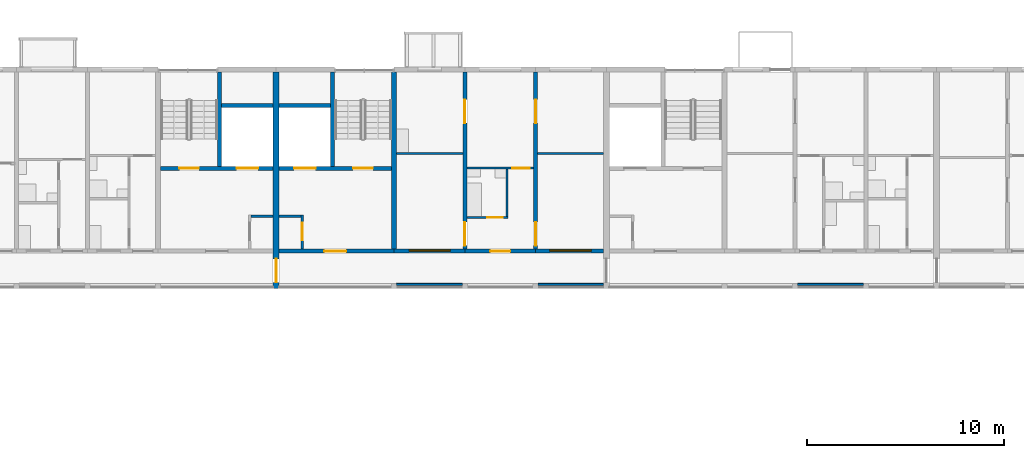
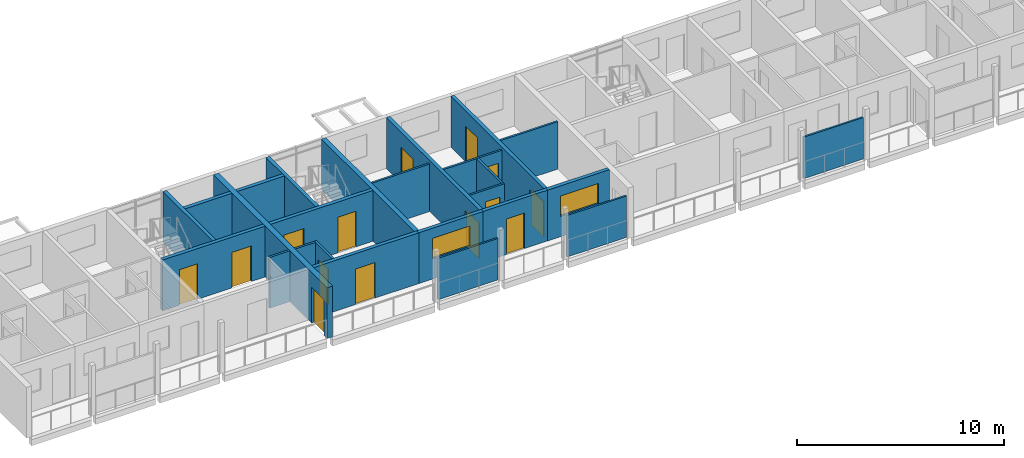
# One storey, part 34 of 99: 25 walls, 14 doors, 2 windows, 16 openings.
"""IFC4 building model written with IfcOpenShell, lengths in metres."""

from ifc_helpers import new_model, si_unit, direction, frame, frame_2d, origin, place, context, subcontext, project, spatial, rectangle, extrude, material, layer, layer_set, type_object, element, fill, save


model = new_model("IFC4")

# Units and contexts
model_context = context("Model", 3, precision=1e-05, world=origin(), true_north=direction((0.0, 1.0)))
body_context = subcontext(model_context, "Body", "Model", "MODEL_VIEW")
ifc_project = project(units=[si_unit("LENGTHUNIT", "METRE"), si_unit("AREAUNIT", "SQUARE_METRE"), si_unit("VOLUMEUNIT", "CUBIC_METRE"), si_unit("PLANEANGLEUNIT", "RADIAN"), si_unit("MASSUNIT", "GRAM", prefix="KILO")], contexts=[model_context])

# Site, building, storey
site_placement = place(None, origin())
site = spatial("IfcSite", under=ifc_project, at=site_placement, CompositionType="ELEMENT")
building_placement = place(site_placement, origin())
building = spatial("IfcBuilding", under=site, at=building_placement, Name="Ridgestep Commons", CompositionType="ELEMENT")
storey_placement = place(building_placement, frame((0.0, 0.0, 15.0)))
storey = spatial("IfcBuildingStorey", under=building, at=storey_placement, Name="L05", CompositionType="ELEMENT", Elevation=15.0)

# Wall
ifc_material_1 = material(Name="Concrete C30/37", Category="concrete")
ifc_layer_1 = layer(ifc_material_1, 0.25)
ifc_layer_set_1 = layer_set([ifc_layer_1], Name="Core cross wall 250")
wall_type_1 = type_object("IfcWallType", Name="Core cross wall 250", PredefinedType="SHEAR", material=ifc_layer_set_1)
wall_1_placement = place(storey_placement, frame((34.800048828125, 68.0, 0.0), z_axis=(0.0, 0.0, 1.0), x_axis=(0.0, 1.0, 0.0)))
element("IfcWall", 1, at=wall_1_placement, inside=storey, type_object=wall_type_1, Name="Cross wall B-05-0348", PredefinedType="SHEAR", context=body_context, shape_type="SweptSolid", body=[
    extrude(rectangle(XDim=9.0, YDim=0.25, at=frame_2d((4.5, 0.0))), origin(), (0.0, 0.0, 1.0), 3.0),
])

# Wall, opening, door
ifc_material_2 = material(Name="Concrete C30/37", Category="concrete")
ifc_layer_2 = layer(ifc_material_2, 0.199951171875)
ifc_layer_set_2 = layer_set([ifc_layer_2], Name="Core south wall 200")
wall_type_2 = type_object("IfcWallType", Name="Core south wall 200", PredefinedType="SHEAR", material=ifc_layer_set_2)
wall_2_placement = place(storey_placement, frame((28.949951171875, 67.89990234375, 0.0), z_axis=(0.0, 0.0, 1.0), x_axis=(1.0, 0.0, 0.0)))
wall_2 = element("IfcWall", 2, at=wall_2_placement, inside=storey, type_object=wall_type_2, Name="Core south wall B2C L05", PredefinedType="SHEAR", context=body_context, shape_type="SweptSolid", body=[
    extrude(rectangle(XDim=5.85009765625, YDim=0.199951171875, at=frame_2d((2.925048828125, 0.0))), origin(), (0.0, 0.0, 1.0), 3.0),
])
opening_1_placement = place(wall_2_placement, frame((2.3125, 0.0, 0.0)))
opening_1 = element("IfcOpeningElement", 3, at=opening_1_placement, cuts=wall_2, Name="Opening B2C/05/1", PredefinedType="OPENING", context=body_context, shape_type="SweptSolid", body=[
    extrude(rectangle(XDim=1.10009765625, YDim=2.10009765625, at=frame_2d((0.550048828125, 1.050048828125))), frame((0.0, 0.10986328125, 0.0), z_axis=(0.0, -1.0, 0.0), x_axis=(1.0, 0.0, 0.0)), (0.0, 0.0, 1.0), 0.219970703125),
])
ifc_material_3 = material(Name="Steel fire door", Category="steel")
door_type_1 = type_object("IfcDoorType", Name="Lobby door 1100 x 2100 FD60", OperationType="NOTDEFINED", PredefinedType="DOOR", material=ifc_material_3)
door_1_placement = place(opening_1_placement, origin())
door_1 = element("IfcDoor", 4, at=door_1_placement, inside=storey, type_object=door_type_1, Name="Lobby door B2C/05/1", OperationType="SINGLE_SWING_LEFT", OverallHeight=2.10009765625, OverallWidth=1.10009765625, PredefinedType="DOOR", context=body_context, shape_type="SweptSolid", body=[
    extrude(rectangle(XDim=1.10009765625, YDim=2.10009765625, at=frame_2d((0.550048828125, 1.050048828125))), frame((0.0, 0.02490234375, 0.0), z_axis=(0.0, -1.0, 0.0), x_axis=(1.0, 0.0, 0.0)), (0.0, 0.0, 1.0), 0.050048828125),
])
fill(opening_1, door_1)

# Wall
ifc_material_4 = material(Name="Concrete C30/37", Category="concrete")
ifc_layer_3 = layer(ifc_material_4, 0.1201171875)
ifc_layer_set_3 = layer_set([ifc_layer_3], Name="Core wall 120")
wall_type_3 = type_object("IfcWallType", Name="Core wall 120", PredefinedType="SHEAR", material=ifc_layer_set_3)
wall_3_placement = place(storey_placement, frame((27.52001953125, 69.659912109375, 0.0), z_axis=(0.0, 0.0, 1.0), x_axis=(1.0, 0.0, 0.0)))
element("IfcWall", 5, at=wall_3_placement, inside=storey, type_object=wall_type_3, Name="Core riser n wall B1C L05", PredefinedType="SHEAR", context=body_context, shape_type="SweptSolid", body=[
    extrude(rectangle(XDim=1.1298828125, YDim=0.1201171875, at=frame_2d((0.56494140625, 0.0))), origin(), (0.0, 0.0, 1.0), 3.0),
])

# Wall, opening, door
wall_4_placement = place(storey_placement, frame((30.139892578125, 68.0, 0.0), z_axis=(0.0, 0.0, 1.0), x_axis=(0.0, 1.0, 0.0)))
wall_4 = element("IfcWall", 6, at=wall_4_placement, inside=storey, type_object=wall_type_3, Name="Core riser w wall B2C L05", PredefinedType="SHEAR", context=body_context, shape_type="SweptSolid", body=[
    extrude(rectangle(XDim=1.719970703125, YDim=0.1201171875, at=frame_2d((0.85986328125, 0.0))), origin(), (0.0, 0.0, 1.0), 3.0),
])
opening_2_placement = place(wall_4_placement, frame((0.449951171875, 0.0, 0.0)))
opening_2 = element("IfcOpeningElement", 7, at=opening_2_placement, cuts=wall_4, Name="Opening B2C/05/4", PredefinedType="OPENING", context=body_context, shape_type="SweptSolid", body=[
    extrude(rectangle(XDim=0.89990234375, YDim=2.10009765625, at=frame_2d((0.449951171875, 1.050048828125))), frame((0.0, 0.070068359375, 0.0), z_axis=(0.0, -1.0, 0.0), x_axis=(1.0, 0.0, 0.0)), (0.0, 0.0, 1.0), 0.14013671875),
])
ifc_material_5 = material(Name="Steel fire door", Category="steel")
door_type_2 = type_object("IfcDoorType", Name="Riser door 900 x 2100 FD60", OperationType="NOTDEFINED", PredefinedType="DOOR", material=ifc_material_5)
door_2_placement = place(opening_2_placement, origin())
door_2 = element("IfcDoor", 8, at=door_2_placement, inside=storey, type_object=door_type_2, Name="Riser door B2C/05/4", OperationType="SINGLE_SWING_RIGHT", OverallHeight=2.10009765625, OverallWidth=0.89990234375, PredefinedType="DOOR", context=body_context, shape_type="SweptSolid", body=[
    extrude(rectangle(XDim=0.89990234375, YDim=2.10009765625, at=frame_2d((0.449951171875, 1.050048828125))), frame((0.0, 0.02490234375, 0.0), z_axis=(0.0, -1.0, 0.0), x_axis=(1.0, 0.0, 0.0)), (0.0, 0.0, 1.0), 0.050048828125),
])
fill(opening_2, door_2)

# Wall
wall_5_placement = place(storey_placement, frame((28.949951171875, 69.659912109375, 0.0), z_axis=(0.0, 0.0, 1.0), x_axis=(1.0, 0.0, 0.0)))
element("IfcWall", 9, at=wall_5_placement, inside=storey, type_object=wall_type_3, Name="Core riser n wall B2C L05", PredefinedType="SHEAR", context=body_context, shape_type="SweptSolid", body=[
    extrude(rectangle(XDim=1.130126953125, YDim=0.1201171875, at=frame_2d((0.56494140625, 0.0))), origin(), (0.0, 0.0, 1.0), 3.0),
])

# Wall, openings, doors
ifc_material_6 = material(Name="Concrete C30/37", Category="concrete")
ifc_layer_4 = layer(ifc_material_6, 0.199951171875)
ifc_layer_set_4 = layer_set([ifc_layer_4], Name="Core wall 200")
wall_type_4 = type_object("IfcWallType", Name="Core wall 200", PredefinedType="SHEAR", material=ifc_layer_set_4)
wall_6_placement = place(storey_placement, frame((22.925048828125, 72.10009765625, 0.0), z_axis=(0.0, 0.0, 1.0), x_axis=(1.0, 0.0, 0.0)))
wall_6 = element("IfcWall", 10, at=wall_6_placement, inside=storey, type_object=wall_type_4, Name="Core lobby wall B1C L05", PredefinedType="SHEAR", context=body_context, shape_type="SweptSolid", body=[
    extrude(rectangle(XDim=5.724853515625, YDim=0.199951171875, at=frame_2d((2.8623046875, 0.0))), origin(), (0.0, 0.0, 1.0), 3.0),
])
opening_3_placement = place(wall_6_placement, frame((0.949951171875, 0.0, 0.0)))
opening_3 = element("IfcOpeningElement", 11, at=opening_3_placement, cuts=wall_6, Name="Opening B1C/05/2", PredefinedType="OPENING", context=body_context, shape_type="SweptSolid", body=[
    extrude(rectangle(XDim=1.0, YDim=2.10009765625, at=frame_2d((0.5, 1.050048828125))), frame((0.0, 0.10986328125, 0.0), z_axis=(0.0, -1.0, 0.0), x_axis=(1.0, 0.0, 0.0)), (0.0, 0.0, 1.0), 0.219970703125),
])
opening_4_placement = place(wall_6_placement, frame((3.862548828125, 0.0, 0.0)))
opening_4 = element("IfcOpeningElement", 12, at=opening_4_placement, cuts=wall_6, Name="Opening B1C/05/3", PredefinedType="OPENING", context=body_context, shape_type="SweptSolid", body=[
    extrude(rectangle(XDim=1.10009765625, YDim=2.10009765625, at=frame_2d((0.550048828125, 1.050048828125))), frame((0.0, 0.10986328125, 0.0), z_axis=(0.0, -1.0, 0.0), x_axis=(1.0, 0.0, 0.0)), (0.0, 0.0, 1.0), 0.219970703125),
])
ifc_material_7 = material(Name="Stainless steel", Category="steel")
door_type_3 = type_object("IfcDoorType", Name="Lift landing door 1100 x 2100 FD60", OperationType="DOUBLE_DOOR_SLIDING", PredefinedType="DOOR", material=ifc_material_7)
door_3_placement = place(opening_4_placement, origin())
door_3 = element("IfcDoor", 13, at=door_3_placement, inside=storey, type_object=door_type_3, Name="Landing door LD B1C L05", OperationType="DOUBLE_DOOR_SLIDING", OverallHeight=2.10009765625, OverallWidth=1.10009765625, PredefinedType="DOOR", context=body_context, shape_type="SweptSolid", body=[
    extrude(rectangle(XDim=1.10009765625, YDim=2.10009765625, at=frame_2d((0.550048828125, 1.050048828125))), frame((0.0, 0.02490234375, 0.0), z_axis=(0.0, -1.0, 0.0), x_axis=(1.0, 0.0, 0.0)), (0.0, 0.0, 1.0), 0.050048828125),
])
fill(opening_4, door_3)
ifc_material_8 = material(Name="Steel fire door", Category="steel")
door_type_4 = type_object("IfcDoorType", Name="Stair door 1000 x 2100 FD60", OperationType="NOTDEFINED", PredefinedType="DOOR", material=ifc_material_8)
door_4_placement = place(opening_3_placement, origin())
door_4 = element("IfcDoor", 14, at=door_4_placement, inside=storey, type_object=door_type_4, Name="Stair door B1C/05/2", OperationType="SINGLE_SWING_RIGHT", OverallHeight=2.10009765625, OverallWidth=1.0, PredefinedType="DOOR", context=body_context, shape_type="SweptSolid", body=[
    extrude(rectangle(XDim=1.0, YDim=2.10009765625, at=frame_2d((0.5, 1.050048828125))), frame((0.0, 0.02490234375, 0.0), z_axis=(0.0, -1.0, 0.0), x_axis=(1.0, 0.0, 0.0)), (0.0, 0.0, 1.0), 0.050048828125),
])
fill(opening_3, door_4)

# Walls
wall_7_placement = place(storey_placement, frame((25.925048828125, 72.199951171875, 0.0), z_axis=(0.0, 0.0, 1.0), x_axis=(0.0, 1.0, 0.0)))
element("IfcWall", 15, at=wall_7_placement, inside=storey, type_object=wall_type_4, Name="Core stair wall B1C L05", PredefinedType="SHEAR", context=body_context, shape_type="SweptSolid", body=[
    extrude(rectangle(XDim=4.800048828125, YDim=0.199951171875, at=frame_2d((2.39990234375, 0.0))), origin(), (0.0, 0.0, 1.0), 3.0),
])
wall_8_placement = place(storey_placement, frame((26.02490234375, 75.300048828125, 0.0), z_axis=(0.0, 0.0, 1.0), x_axis=(1.0, 0.0, 0.0)))
element("IfcWall", 16, at=wall_8_placement, inside=storey, type_object=wall_type_4, Name="Core duct wall B1C L05", PredefinedType="SHEAR", context=body_context, shape_type="SweptSolid", body=[
    extrude(rectangle(XDim=2.625, YDim=0.199951171875, at=frame_2d((1.3125, 0.0))), origin(), (0.0, 0.0, 1.0), 3.0),
])

# Wall, openings, doors
wall_9_placement = place(storey_placement, frame((28.949951171875, 72.10009765625, 0.0), z_axis=(0.0, 0.0, 1.0), x_axis=(1.0, 0.0, 0.0)))
wall_9 = element("IfcWall", 17, at=wall_9_placement, inside=storey, type_object=wall_type_4, Name="Core lobby wall B2C L05", PredefinedType="SHEAR", context=body_context, shape_type="SweptSolid", body=[
    extrude(rectangle(XDim=5.72509765625, YDim=0.199951171875, at=frame_2d((2.862548828125, 0.0))), origin(), (0.0, 0.0, 1.0), 3.0),
])
opening_5_placement = place(wall_9_placement, frame((3.77490234375, 0.0, 0.0)))
opening_5 = element("IfcOpeningElement", 18, at=opening_5_placement, cuts=wall_9, Name="Opening B2C/05/2", PredefinedType="OPENING", context=body_context, shape_type="SweptSolid", body=[
    extrude(rectangle(XDim=1.0, YDim=2.10009765625, at=frame_2d((0.5, 1.050048828125))), frame((0.0, 0.10986328125, 0.0), z_axis=(0.0, -1.0, 0.0), x_axis=(1.0, 0.0, 0.0)), (0.0, 0.0, 1.0), 0.219970703125),
])
opening_6_placement = place(wall_9_placement, frame((0.762451171875, 0.0, 0.0)))
opening_6 = element("IfcOpeningElement", 19, at=opening_6_placement, cuts=wall_9, Name="Opening B2C/05/3", PredefinedType="OPENING", context=body_context, shape_type="SweptSolid", body=[
    extrude(rectangle(XDim=1.10009765625, YDim=2.10009765625, at=frame_2d((0.550048828125, 1.050048828125))), frame((0.0, 0.10986328125, 0.0), z_axis=(0.0, -1.0, 0.0), x_axis=(1.0, 0.0, 0.0)), (0.0, 0.0, 1.0), 0.219970703125),
])
door_5_placement = place(opening_6_placement, origin())
door_5 = element("IfcDoor", 20, at=door_5_placement, inside=storey, type_object=door_type_3, Name="Landing door LD B2C L05", OperationType="DOUBLE_DOOR_SLIDING", OverallHeight=2.10009765625, OverallWidth=1.10009765625, PredefinedType="DOOR", context=body_context, shape_type="SweptSolid", body=[
    extrude(rectangle(XDim=1.10009765625, YDim=2.10009765625, at=frame_2d((0.550048828125, 1.050048828125))), frame((0.0, 0.02490234375, 0.0), z_axis=(0.0, -1.0, 0.0), x_axis=(1.0, 0.0, 0.0)), (0.0, 0.0, 1.0), 0.050048828125),
])
fill(opening_6, door_5)
door_6_placement = place(opening_5_placement, origin())
door_6 = element("IfcDoor", 21, at=door_6_placement, inside=storey, type_object=door_type_4, Name="Stair door B2C/05/2", OperationType="SINGLE_SWING_RIGHT", OverallHeight=2.10009765625, OverallWidth=1.0, PredefinedType="DOOR", context=body_context, shape_type="SweptSolid", body=[
    extrude(rectangle(XDim=1.0, YDim=2.10009765625, at=frame_2d((0.5, 1.050048828125))), frame((0.0, 0.02490234375, 0.0), z_axis=(0.0, -1.0, 0.0), x_axis=(1.0, 0.0, 0.0)), (0.0, 0.0, 1.0), 0.050048828125),
])
fill(opening_5, door_6)

# Walls
wall_10_placement = place(storey_placement, frame((31.675048828125, 72.199951171875, 0.0), z_axis=(0.0, 0.0, 1.0), x_axis=(0.0, 1.0, 0.0)))
element("IfcWall", 22, at=wall_10_placement, inside=storey, type_object=wall_type_4, Name="Core stair wall B2C L05", PredefinedType="SHEAR", context=body_context, shape_type="SweptSolid", body=[
    extrude(rectangle(XDim=4.800048828125, YDim=0.199951171875, at=frame_2d((2.39990234375, 0.0))), origin(), (0.0, 0.0, 1.0), 3.0),
])
wall_11_placement = place(storey_placement, frame((28.949951171875, 75.300048828125, 0.0), z_axis=(0.0, 0.0, 1.0), x_axis=(1.0, 0.0, 0.0)))
element("IfcWall", 23, at=wall_11_placement, inside=storey, type_object=wall_type_4, Name="Core duct wall B2C L05", PredefinedType="SHEAR", context=body_context, shape_type="SweptSolid", body=[
    extrude(rectangle(XDim=2.625, YDim=0.199951171875, at=frame_2d((1.3125, 0.0))), origin(), (0.0, 0.0, 1.0), 3.0),
])

# Wall, openings, doors
ifc_material_9 = material(Name="Precast concrete C40/50", Category="concrete")
ifc_layer_5 = layer(ifc_material_9, 0.199951171875)
ifc_layer_set_5 = layer_set([ifc_layer_5], Name="Cross wall 200")
wall_type_5 = type_object("IfcWallType", Name="Cross wall 200", PredefinedType="SHEAR", material=ifc_layer_set_5)
wall_12_placement = place(storey_placement, frame((38.39990234375, 68.0, 0.0), z_axis=(0.0, 0.0, 1.0), x_axis=(0.0, 1.0, 0.0)))
wall_12 = element("IfcWall", 24, at=wall_12_placement, inside=storey, type_object=wall_type_5, Name="Cross wall B-05-0384", PredefinedType="SHEAR", context=body_context, shape_type="SweptSolid", body=[
    extrude(rectangle(XDim=9.0, YDim=0.199951171875, at=frame_2d((4.5, 0.0))), origin(), (0.0, 0.0, 1.0), 3.0),
])
opening_7_placement = place(wall_12_placement, frame((0.175048828125, 0.0, 0.0)))
opening_7 = element("IfcOpeningElement", 25, at=opening_7_placement, cuts=wall_12, Name="Opening B2-05a/4", PredefinedType="OPENING", context=body_context, shape_type="SweptSolid", body=[
    extrude(rectangle(XDim=1.199951171875, YDim=2.10009765625, at=frame_2d((0.60009765625, 1.050048828125))), frame((0.0, 0.10986328125, 0.0), z_axis=(0.0, -1.0, 0.0), x_axis=(1.0, 0.0, 0.0)), (0.0, 0.0, 1.0), 0.219970703125),
])
opening_8_placement = place(wall_12_placement, frame((6.39990234375, 0.0, 0.0)))
opening_8 = element("IfcOpeningElement", 26, at=opening_8_placement, cuts=wall_12, Name="Opening B2-05a/5", PredefinedType="OPENING", context=body_context, shape_type="SweptSolid", body=[
    extrude(rectangle(XDim=1.199951171875, YDim=2.10009765625, at=frame_2d((0.60009765625, 1.050048828125))), frame((0.0, 0.10986328125, 0.0), z_axis=(0.0, -1.0, 0.0), x_axis=(1.0, 0.0, 0.0)), (0.0, 0.0, 1.0), 0.219970703125),
])
ifc_material_10 = material(Name="Timber door leaf", Category="wood")
door_type_5 = type_object("IfcDoorType", Name="Double door 1200 x 2100", OperationType="DOUBLE_DOOR_SINGLE_SWING", PredefinedType="DOOR", material=ifc_material_10)
door_7_placement = place(opening_7_placement, origin())
door_7 = element("IfcDoor", 27, at=door_7_placement, inside=storey, type_object=door_type_5, Name="Double door B2-05a/4", OperationType="DOUBLE_DOOR_SINGLE_SWING", OverallHeight=2.10009765625, OverallWidth=1.199951171875, PredefinedType="DOOR", context=body_context, shape_type="SweptSolid", body=[
    extrude(rectangle(XDim=1.199951171875, YDim=2.10009765625, at=frame_2d((0.60009765625, 1.050048828125))), frame((0.0, 0.02490234375, 0.0), z_axis=(0.0, -1.0, 0.0), x_axis=(1.0, 0.0, 0.0)), (0.0, 0.0, 1.0), 0.050048828125),
])
fill(opening_7, door_7)
door_8_placement = place(opening_8_placement, origin())
door_8 = element("IfcDoor", 28, at=door_8_placement, inside=storey, type_object=door_type_5, Name="Double door B2-05a/5", OperationType="DOUBLE_DOOR_SINGLE_SWING", OverallHeight=2.10009765625, OverallWidth=1.199951171875, PredefinedType="DOOR", context=body_context, shape_type="SweptSolid", body=[
    extrude(rectangle(XDim=1.199951171875, YDim=2.10009765625, at=frame_2d((0.60009765625, 1.050048828125))), frame((0.0, 0.02490234375, 0.0), z_axis=(0.0, -1.0, 0.0), x_axis=(1.0, 0.0, 0.0)), (0.0, 0.0, 1.0), 0.050048828125),
])
fill(opening_8, door_8)

wall_13_placement = place(storey_placement, frame((42.0, 68.0, 0.0), z_axis=(0.0, 0.0, 1.0), x_axis=(0.0, 1.0, 0.0)))
wall_13 = element("IfcWall", 29, at=wall_13_placement, inside=storey, type_object=wall_type_5, Name="Cross wall B-05-0420", PredefinedType="SHEAR", context=body_context, shape_type="SweptSolid", body=[
    extrude(rectangle(XDim=9.0, YDim=0.199951171875, at=frame_2d((4.5, 0.0))), origin(), (0.0, 0.0, 1.0), 3.0),
])
opening_9_placement = place(wall_13_placement, frame((0.175048828125, 0.0, 0.0)))
opening_9 = element("IfcOpeningElement", 30, at=opening_9_placement, cuts=wall_13, Name="Opening B2-05a/6", PredefinedType="OPENING", context=body_context, shape_type="SweptSolid", body=[
    extrude(rectangle(XDim=1.199951171875, YDim=2.10009765625, at=frame_2d((0.60009765625, 1.050048828125))), frame((0.0, 0.10986328125, 0.0), z_axis=(0.0, -1.0, 0.0), x_axis=(1.0, 0.0, 0.0)), (0.0, 0.0, 1.0), 0.219970703125),
])
opening_10_placement = place(wall_13_placement, frame((6.39990234375, 0.0, 0.0)))
opening_10 = element("IfcOpeningElement", 31, at=opening_10_placement, cuts=wall_13, Name="Opening B2-05a/7", PredefinedType="OPENING", context=body_context, shape_type="SweptSolid", body=[
    extrude(rectangle(XDim=1.199951171875, YDim=2.10009765625, at=frame_2d((0.60009765625, 1.050048828125))), frame((0.0, 0.10986328125, 0.0), z_axis=(0.0, -1.0, 0.0), x_axis=(1.0, 0.0, 0.0)), (0.0, 0.0, 1.0), 0.219970703125),
])
door_9_placement = place(opening_9_placement, origin())
door_9 = element("IfcDoor", 32, at=door_9_placement, inside=storey, type_object=door_type_5, Name="Double door B2-05a/6", OperationType="DOUBLE_DOOR_SINGLE_SWING", OverallHeight=2.10009765625, OverallWidth=1.199951171875, PredefinedType="DOOR", context=body_context, shape_type="SweptSolid", body=[
    extrude(rectangle(XDim=1.199951171875, YDim=2.10009765625, at=frame_2d((0.60009765625, 1.050048828125))), frame((0.0, 0.02490234375, 0.0), z_axis=(0.0, -1.0, 0.0), x_axis=(1.0, 0.0, 0.0)), (0.0, 0.0, 1.0), 0.050048828125),
])
fill(opening_9, door_9)
door_10_placement = place(opening_10_placement, origin())
door_10 = element("IfcDoor", 33, at=door_10_placement, inside=storey, type_object=door_type_5, Name="Double door B2-05a/7", OperationType="DOUBLE_DOOR_SINGLE_SWING", OverallHeight=2.10009765625, OverallWidth=1.199951171875, PredefinedType="DOOR", context=body_context, shape_type="SweptSolid", body=[
    extrude(rectangle(XDim=1.199951171875, YDim=2.10009765625, at=frame_2d((0.60009765625, 1.050048828125))), frame((0.0, 0.02490234375, 0.0), z_axis=(0.0, -1.0, 0.0), x_axis=(1.0, 0.0, 0.0)), (0.0, 0.0, 1.0), 0.050048828125),
])
fill(opening_10, door_10)

# Wall, opening, door
ifc_material_11 = material(Name="Precast concrete C40/50", Category="concrete")
ifc_layer_6 = layer(ifc_material_11, 0.300048828125)
ifc_layer_set_6 = layer_set([ifc_layer_6], Name="Division wall 300")
wall_type_6 = type_object("IfcWallType", Name="Division wall 300", PredefinedType="SHEAR", material=ifc_layer_set_6)
wall_14_placement = place(storey_placement, frame((28.800048828125, 66.0, 0.0), z_axis=(0.0, 0.0, 1.0), x_axis=(0.0, 1.0, 0.0)))
wall_14 = element("IfcWall", 34, at=wall_14_placement, inside=storey, type_object=wall_type_6, Name="Cross wall B-05-0288", PredefinedType="SHEAR", context=body_context, shape_type="SweptSolid", body=[
    extrude(rectangle(XDim=11.0, YDim=0.300048828125, at=frame_2d((5.5, 0.0))), origin(), (0.0, 0.0, 1.0), 3.0),
])
opening_11_placement = place(wall_14_placement, frame((0.300048828125, 0.0, 0.0)))
opening_11 = element("IfcOpeningElement", 35, at=opening_11_placement, cuts=wall_14, Name="Opening B/05/G0288", PredefinedType="OPENING", context=body_context, shape_type="SweptSolid", body=[
    extrude(rectangle(XDim=1.199951171875, YDim=2.10009765625, at=frame_2d((0.60009765625, 1.050048828125))), frame((0.0, 0.159912109375, 0.0), z_axis=(0.0, -1.0, 0.0), x_axis=(1.0, 0.0, 0.0)), (0.0, 0.0, 1.0), 0.320068359375),
])
ifc_material_12 = material(Name="Steel fire door", Category="steel")
door_type_6 = type_object("IfcDoorType", Name="Division fire door 1200 x 2100 EI 240", OperationType="DOUBLE_DOOR_SINGLE_SWING", PredefinedType="DOOR", material=ifc_material_12)
door_11_placement = place(opening_11_placement, origin())
door_11 = element("IfcDoor", 36, at=door_11_placement, inside=storey, type_object=door_type_6, Name="Division fire door B/05/G0288", OperationType="DOUBLE_DOOR_SINGLE_SWING", OverallHeight=2.10009765625, OverallWidth=1.199951171875, PredefinedType="DOOR", context=body_context, shape_type="SweptSolid", body=[
    extrude(rectangle(XDim=1.199951171875, YDim=2.10009765625, at=frame_2d((0.60009765625, 1.050048828125))), frame((0.0, 0.02490234375, 0.0), z_axis=(0.0, -1.0, 0.0), x_axis=(1.0, 0.0, 0.0)), (0.0, 0.0, 1.0), 0.050048828125),
])
fill(opening_11, door_11)

ifc_material_13 = material(Name="Common brick 110 mm", Category="masonry")
ifc_layer_7 = layer(ifc_material_13, 0.110107421875)
ifc_layer_set_7 = layer_set([ifc_layer_7], Name="Partition 110")
wall_type_7 = type_object("IfcWallType", Name="Partition 110", PredefinedType="PARTITIONING", material=ifc_layer_set_7)
wall_15_placement = place(storey_placement, frame((38.5, 69.60498046875, 0.0), z_axis=(0.0, 0.0, 1.0), x_axis=(1.0, 0.0, 0.0)))
wall_15 = element("IfcWall", 37, at=wall_15_placement, inside=storey, type_object=wall_type_7, Name="Partition B2-05a", PredefinedType="PARTITIONING", context=body_context, shape_type="SweptSolid", body=[
    extrude(rectangle(XDim=2.10009765625, YDim=0.110107421875, at=frame_2d((1.050048828125, 0.0))), origin(), (0.0, 0.0, 1.0), 2.800048828125),
])
opening_12_placement = place(wall_15_placement, frame((1.0400390625, 0.0, 0.0)))
opening_12 = element("IfcOpeningElement", 38, at=opening_12_placement, cuts=wall_15, Name="Opening B2-05a/2", PredefinedType="OPENING", context=body_context, shape_type="SweptSolid", body=[
    extrude(rectangle(XDim=0.800048828125, YDim=2.10009765625, at=frame_2d((0.39990234375, 1.050048828125))), frame((0.0, 0.06494140625, 0.0), z_axis=(0.0, -1.0, 0.0), x_axis=(1.0, 0.0, 0.0)), (0.0, 0.0, 1.0), 0.130126953125),
])
ifc_material_14 = material(Name="Timber door leaf", Category="wood")
door_type_7 = type_object("IfcDoorType", Name="Internal door 800 x 2100", OperationType="NOTDEFINED", PredefinedType="DOOR", material=ifc_material_14)
door_12_placement = place(opening_12_placement, origin())
door_12 = element("IfcDoor", 39, at=door_12_placement, inside=storey, type_object=door_type_7, Name="Internal door B2-05a/2", OperationType="SINGLE_SWING_RIGHT", OverallHeight=2.10009765625, OverallWidth=0.800048828125, PredefinedType="DOOR", context=body_context, shape_type="SweptSolid", body=[
    extrude(rectangle(XDim=0.800048828125, YDim=2.10009765625, at=frame_2d((0.39990234375, 1.050048828125))), frame((0.0, 0.02490234375, 0.0), z_axis=(0.0, -1.0, 0.0), x_axis=(1.0, 0.0, 0.0)), (0.0, 0.0, 1.0), 0.050048828125),
])
fill(opening_12, door_12)

# Wall
wall_16_placement = place(storey_placement, frame((40.544921875, 69.659912109375, 0.0), z_axis=(0.0, 0.0, 1.0), x_axis=(0.0, 1.0, 0.0)))
element("IfcWall", 40, at=wall_16_placement, inside=storey, type_object=wall_type_7, Name="Partition B2-05a", PredefinedType="PARTITIONING", context=body_context, shape_type="SweptSolid", body=[
    extrude(rectangle(XDim=2.400146484375, YDim=0.110107421875, at=frame_2d((1.2001953125, 0.0))), origin(), (0.0, 0.0, 1.0), 2.800048828125),
])

# Wall, opening, door
wall_17_placement = place(storey_placement, frame((38.5, 72.114990234375, 0.0), z_axis=(0.0, 0.0, 1.0), x_axis=(1.0, 0.0, 0.0)))
wall_17 = element("IfcWall", 41, at=wall_17_placement, inside=storey, type_object=wall_type_7, Name="Partition B2-05a", PredefinedType="PARTITIONING", context=body_context, shape_type="SweptSolid", body=[
    extrude(rectangle(XDim=3.39990234375, YDim=0.110107421875, at=frame_2d((1.699951171875, 0.0))), origin(), (0.0, 0.0, 1.0), 2.800048828125),
])
opening_13_placement = place(wall_17_placement, frame((2.300048828125, 0.0, 0.0)))
opening_13 = element("IfcOpeningElement", 42, at=opening_13_placement, cuts=wall_17, Name="Opening B2-05a/3", PredefinedType="OPENING", context=body_context, shape_type="SweptSolid", body=[
    extrude(rectangle(XDim=0.89990234375, YDim=2.10009765625, at=frame_2d((0.449951171875, 1.050048828125))), frame((0.0, 0.06494140625, 0.0), z_axis=(0.0, -1.0, 0.0), x_axis=(1.0, 0.0, 0.0)), (0.0, 0.0, 1.0), 0.130126953125),
])
ifc_material_15 = material(Name="Timber door leaf", Category="wood")
door_type_8 = type_object("IfcDoorType", Name="Internal door 900 x 2100", OperationType="NOTDEFINED", PredefinedType="DOOR", material=ifc_material_15)
door_13_placement = place(opening_13_placement, origin())
door_13 = element("IfcDoor", 43, at=door_13_placement, inside=storey, type_object=door_type_8, Name="Internal door B2-05a/3", OperationType="SINGLE_SWING_LEFT", OverallHeight=2.10009765625, OverallWidth=0.89990234375, PredefinedType="DOOR", context=body_context, shape_type="SweptSolid", body=[
    extrude(rectangle(XDim=0.89990234375, YDim=2.10009765625, at=frame_2d((0.449951171875, 1.050048828125))), frame((0.0, 0.02490234375, 0.0), z_axis=(0.0, -1.0, 0.0), x_axis=(1.0, 0.0, 0.0)), (0.0, 0.0, 1.0), 0.050048828125),
])
fill(opening_13, door_13)

# Walls
wall_18_placement = place(storey_placement, frame((34.925048828125, 72.85498046875, 0.0), z_axis=(0.0, 0.0, 1.0), x_axis=(1.0, 0.0, 0.0)))
element("IfcWall", 44, at=wall_18_placement, inside=storey, type_object=wall_type_7, Name="Partition B2-05a", PredefinedType="PARTITIONING", context=body_context, shape_type="SweptSolid", body=[
    extrude(rectangle(XDim=3.375, YDim=0.110107421875, at=frame_2d((1.6875, 0.0))), origin(), (0.0, 0.0, 1.0), 2.800048828125),
])
wall_19_placement = place(storey_placement, frame((42.10009765625, 72.85498046875, 0.0), z_axis=(0.0, 0.0, 1.0), x_axis=(1.0, 0.0, 0.0)))
element("IfcWall", 45, at=wall_19_placement, inside=storey, type_object=wall_type_7, Name="Partition B2-05a", PredefinedType="PARTITIONING", context=body_context, shape_type="SweptSolid", body=[
    extrude(rectangle(XDim=3.349853515625, YDim=0.110107421875, at=frame_2d((1.6748046875, 0.0))), origin(), (0.0, 0.0, 1.0), 2.800048828125),
])
ifc_material_16 = material(Name="Precast concrete C30/37", Category="concrete")
ifc_layer_8 = layer(ifc_material_16, 0.10009765625)
ifc_layer_set_8 = layer_set([ifc_layer_8], Name="Perforated gallery screen 3325 x 2450 x 100")
wall_type_8 = type_object("IfcWallType", Name="Perforated gallery screen 3325 x 2450 x 100", PredefinedType="SOLIDWALL", material=ifc_layer_set_8)
wall_20_placement = place(storey_placement, frame((42.125, 66.199951171875, 0.0), z_axis=(0.0, 0.0, 1.0), x_axis=(1.0, 0.0, 0.0)))
element("IfcWall", 46, at=wall_20_placement, inside=storey, type_object=wall_type_8, Name="Gallery screen B2T1 05", PredefinedType="SOLIDWALL", context=body_context, shape_type="SweptSolid", body=[
    extrude(rectangle(XDim=3.324951171875, YDim=0.10009765625, at=frame_2d((1.66259765625, 0.0))), origin(), (0.0, 0.0, 1.0), 2.449951171875),
])
ifc_material_17 = material(Name="Precast concrete C30/37", Category="concrete")
ifc_layer_9 = layer(ifc_material_17, 0.10009765625)
ifc_layer_set_9 = layer_set([ifc_layer_9], Name="Perforated gallery screen 3350 x 2450 x 100")
wall_type_9 = type_object("IfcWallType", Name="Perforated gallery screen 3350 x 2450 x 100", PredefinedType="SOLIDWALL", material=ifc_layer_set_9)
wall_21_placement = place(storey_placement, frame((34.925048828125, 66.199951171875, 0.0), z_axis=(0.0, 0.0, 1.0), x_axis=(1.0, 0.0, 0.0)))
element("IfcWall", 47, at=wall_21_placement, inside=storey, type_object=wall_type_9, Name="Gallery screen B2T3 05", PredefinedType="SOLIDWALL", context=body_context, shape_type="SweptSolid", body=[
    extrude(rectangle(XDim=3.349853515625, YDim=0.10009765625, at=frame_2d((1.6748046875, 0.0))), origin(), (0.0, 0.0, 1.0), 2.449951171875),
])
wall_22_placement = place(storey_placement, frame((55.324951171875, 66.199951171875, 0.0), z_axis=(0.0, 0.0, 1.0), x_axis=(1.0, 0.0, 0.0)))
element("IfcWall", 48, at=wall_22_placement, inside=storey, type_object=wall_type_9, Name="Gallery screen B3T2 05", PredefinedType="SOLIDWALL", context=body_context, shape_type="SweptSolid", body=[
    extrude(rectangle(XDim=3.35009765625, YDim=0.10009765625, at=frame_2d((1.675048828125, 0.0))), origin(), (0.0, 0.0, 1.0), 2.449951171875),
])

# Wall, opening, window
ifc_material_18 = material(Name="Precast concrete C40/50", Category="concrete")
ifc_layer_10 = layer(ifc_material_18, 0.199951171875)
ifc_layer_set_10 = layer_set([ifc_layer_10], Name="South facade panel 200")
wall_type_10 = type_object("IfcWallType", Name="South facade panel 200", PredefinedType="SOLIDWALL", material=ifc_layer_set_10)
wall_23_placement = place(storey_placement, frame((34.800048828125, 67.89990234375, 0.0), z_axis=(0.0, 0.0, 1.0), x_axis=(1.0, 0.0, 0.0)))
wall_23 = element("IfcWall", 49, at=wall_23_placement, inside=storey, type_object=wall_type_10, Name="South panel B2T3 L05", PredefinedType="SOLIDWALL", context=body_context, shape_type="SweptSolid", body=[
    extrude(rectangle(XDim=3.599853515625, YDim=0.199951171875, at=frame_2d((1.7998046875, 0.0))), origin(), (0.0, 0.0, 1.0), 3.0),
])
opening_14_placement = place(wall_23_placement, frame((0.762451171875, 0.0, 1.199951171875)))
opening_14 = element("IfcOpeningElement", 50, at=opening_14_placement, cuts=wall_23, Name="Opening W22", PredefinedType="OPENING", context=body_context, shape_type="SweptSolid", body=[
    extrude(rectangle(XDim=2.10009765625, YDim=1.199951171875, at=frame_2d((1.050048828125, 0.60009765625))), frame((0.0, 0.10986328125, 0.0), z_axis=(0.0, -1.0, 0.0), x_axis=(1.0, 0.0, 0.0)), (0.0, 0.0, 1.0), 0.219970703125),
])
ifc_material_19 = material(Name="Aluminium 6063-T6 and glass", Category="aluminium")
window_type = type_object("IfcWindowType", Name="Flat window 2100 x 1200", PartitioningType="DOUBLE_PANEL_VERTICAL", PredefinedType="WINDOW", material=ifc_material_19)
window_1_placement = place(opening_14_placement, origin())
window_1 = element("IfcWindow", 51, at=window_1_placement, inside=storey, type_object=window_type, Name="Window B2-05a 1", OverallHeight=1.199951171875, OverallWidth=2.10009765625, PartitioningType="SINGLE_PANEL", PredefinedType="WINDOW", context=body_context, shape_type="SweptSolid", body=[
    extrude(rectangle(XDim=2.10009765625, YDim=1.199951171875, at=frame_2d((1.050048828125, 0.60009765625))), frame((0.0, 0.06005859375, 0.0), z_axis=(0.0, -1.0, 0.0), x_axis=(1.0, 0.0, 0.0)), (0.0, 0.0, 1.0), 0.06005859375),
])
fill(opening_14, window_1)

# Wall, opening, door
wall_24_placement = place(storey_placement, frame((38.39990234375, 67.89990234375, 0.0), z_axis=(0.0, 0.0, 1.0), x_axis=(1.0, 0.0, 0.0)))
wall_24 = element("IfcWall", 52, at=wall_24_placement, inside=storey, type_object=wall_type_10, Name="South panel B2T2 L05", PredefinedType="SOLIDWALL", context=body_context, shape_type="SweptSolid", body=[
    extrude(rectangle(XDim=3.60009765625, YDim=0.199951171875, at=frame_2d((1.800048828125, 0.0))), origin(), (0.0, 0.0, 1.0), 3.0),
])
opening_15_placement = place(wall_24_placement, frame((1.300048828125, 0.0, 0.0)))
opening_15 = element("IfcOpeningElement", 53, at=opening_15_placement, cuts=wall_24, Name="Opening B2-05a/1", PredefinedType="OPENING", context=body_context, shape_type="SweptSolid", body=[
    extrude(rectangle(XDim=1.0, YDim=2.10009765625, at=frame_2d((0.5, 1.050048828125))), frame((0.0, 0.10986328125, 0.0), z_axis=(0.0, -1.0, 0.0), x_axis=(1.0, 0.0, 0.0)), (0.0, 0.0, 1.0), 0.219970703125),
])
ifc_material_20 = material(Name="Timber door leaf", Category="wood")
door_type_9 = type_object("IfcDoorType", Name="Flat entrance door 1000 x 2100 FD30S", OperationType="NOTDEFINED", PredefinedType="DOOR", material=ifc_material_20)
door_14_placement = place(opening_15_placement, origin())
door_14 = element("IfcDoor", 54, at=door_14_placement, inside=storey, type_object=door_type_9, Name="Flat entrance door B2-05a/1", OperationType="SINGLE_SWING_RIGHT", OverallHeight=2.10009765625, OverallWidth=1.0, PredefinedType="DOOR", context=body_context, shape_type="SweptSolid", body=[
    extrude(rectangle(XDim=1.0, YDim=2.10009765625, at=frame_2d((0.5, 1.050048828125))), frame((0.0, 0.02490234375, 0.0), z_axis=(0.0, -1.0, 0.0), x_axis=(1.0, 0.0, 0.0)), (0.0, 0.0, 1.0), 0.050048828125),
])
fill(opening_15, door_14)

# Wall, opening, window
wall_25_placement = place(storey_placement, frame((42.0, 67.89990234375, 0.0), z_axis=(0.0, 0.0, 1.0), x_axis=(1.0, 0.0, 0.0)))
wall_25 = element("IfcWall", 55, at=wall_25_placement, inside=storey, type_object=wall_type_10, Name="South panel B2T1 L05", PredefinedType="SOLIDWALL", context=body_context, shape_type="SweptSolid", body=[
    extrude(rectangle(XDim=3.449951171875, YDim=0.199951171875, at=frame_2d((1.72509765625, 0.0))), origin(), (0.0, 0.0, 1.0), 3.0),
])
opening_16_placement = place(wall_25_placement, frame((0.72509765625, 0.0, 1.199951171875)))
opening_16 = element("IfcOpeningElement", 56, at=opening_16_placement, cuts=wall_25, Name="Opening W22", PredefinedType="OPENING", context=body_context, shape_type="SweptSolid", body=[
    extrude(rectangle(XDim=2.10009765625, YDim=1.199951171875, at=frame_2d((1.050048828125, 0.60009765625))), frame((0.0, 0.10986328125, 0.0), z_axis=(0.0, -1.0, 0.0), x_axis=(1.0, 0.0, 0.0)), (0.0, 0.0, 1.0), 0.219970703125),
])
window_2_placement = place(opening_16_placement, origin())
window_2 = element("IfcWindow", 57, at=window_2_placement, inside=storey, type_object=window_type, Name="Window B2-05a 3", OverallHeight=1.199951171875, OverallWidth=2.10009765625, PartitioningType="SINGLE_PANEL", PredefinedType="WINDOW", context=body_context, shape_type="SweptSolid", body=[
    extrude(rectangle(XDim=2.10009765625, YDim=1.199951171875, at=frame_2d((1.050048828125, 0.60009765625))), frame((0.0, 0.06005859375, 0.0), z_axis=(0.0, -1.0, 0.0), x_axis=(1.0, 0.0, 0.0)), (0.0, 0.0, 1.0), 0.06005859375),
])
fill(opening_16, window_2)

save(model, "model.ifc")
